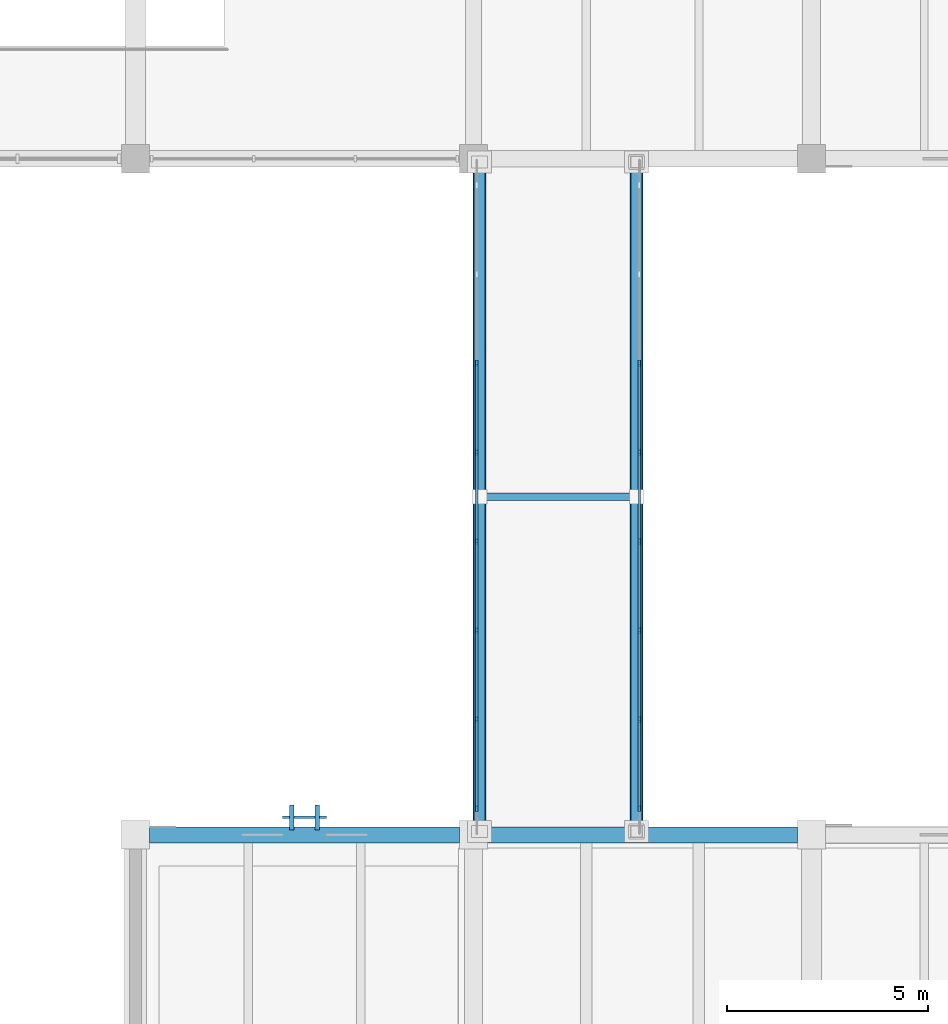
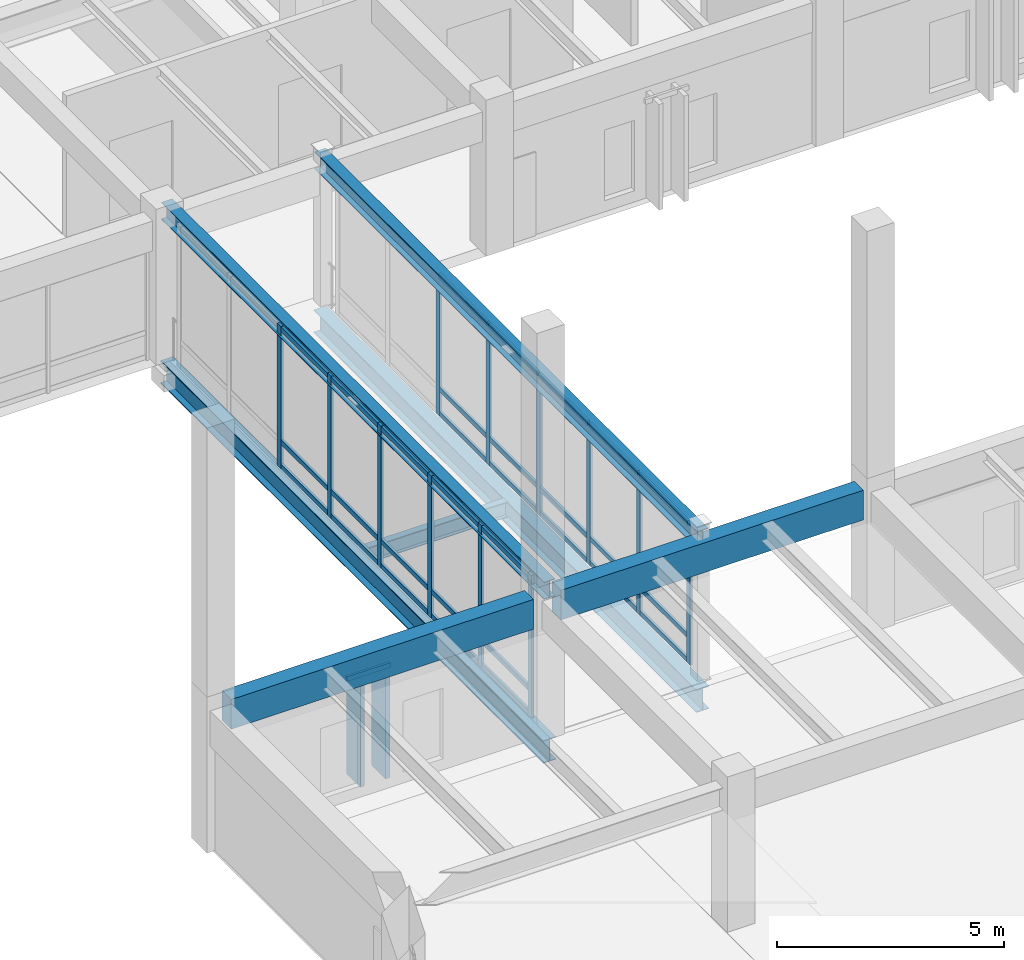
# One storey, part 57 of 132: 45 members, 7 beams, 3 elements without a shape of their own.
"""IFC4 building model written with IfcOpenShell, lengths in metres."""

from ifc_helpers import new_model, si_unit, direction, frame, origin, origin_2d, place, context, subcontext, project, spatial, rectangle, i_section, extrude, material, material_profile, profile_set, type_object, element, aggregate, save


model = new_model("IFC4")

# Units and contexts
model_context = context("Model", 3, precision=1e-05, world=origin(), true_north=direction((0.0, 1.0)))
body_context = subcontext(model_context, "Body", "Model", "MODEL_VIEW")
ifc_project = project(units=[si_unit("LENGTHUNIT", "METRE"), si_unit("AREAUNIT", "SQUARE_METRE"), si_unit("VOLUMEUNIT", "CUBIC_METRE"), si_unit("PLANEANGLEUNIT", "RADIAN"), si_unit("MASSUNIT", "GRAM", prefix="KILO")], contexts=[model_context])

# Site, building, storey
site_placement = place(None, origin())
site = spatial("IfcSite", under=ifc_project, at=site_placement, CompositionType="ELEMENT")
building_placement = place(site_placement, origin())
building = spatial("IfcBuilding", under=site, at=building_placement, Name="Cumbredor Promenade Congress Hotel", CompositionType="ELEMENT")
storey_placement = place(building_placement, frame((0.0, 0.0, 7.56005859375)))
storey = spatial("IfcBuildingStorey", under=building, at=storey_placement, Name="L02", CompositionType="ELEMENT", Elevation=7.56005859375)

# Beams
ifc_material_1 = material(Name="Steel ASTM A992 Grade 50", Category="steel")
ifc_material_profile_1 = material_profile(ifc_material_1, i_section(OverallWidth=0.323974609375, OverallDepth=0.611083984375, WebThickness=0.0126953125, FlangeThickness=0.01904296875, at=origin_2d()), Name="W24X104")
ifc_profile_set_1 = profile_set([ifc_material_profile_1], Name="Steel ASTM A992 Grade 50")
beam_type_1 = type_object("IfcBeamType", Name="BM-W24X104", PredefinedType="BEAM", material=ifc_profile_set_1)
for number, where, z_axis, x_axis, name in (
    (1, (151.35009765625, 67.159912109375, -0.525634765625), (0.0, 1.0, 0.0), (-1.0, 0.0, 0.0), "L02 East Ballroom-to-Forum Glazed Bridge Edge Girder 1"),
    (2, (155.25, 67.159912109375, -0.525634765625), (0.0, 1.0, 0.0), (-1.0, 0.0, 0.0), "L02 East Ballroom-to-Forum Glazed Bridge Edge Girder 2"),
):
    element("IfcBeam", number, at=place(storey_placement, frame(where, z_axis=z_axis, x_axis=x_axis)), inside=storey, type_object=beam_type_1, Name=name, PredefinedType="BEAM", context=body_context, shape_type="SweptSolid", body=[
        extrude(i_section(OverallWidth=0.323974609375, OverallDepth=0.611083984375, WebThickness=0.0126953125, FlangeThickness=0.01904296875, at=origin_2d()), origin(), (0.0, 0.0, 1.0), 16.880126953125),
    ])

# Curtain wall, members
ifc_material_2 = material(Name="Thermally broken anodized aluminium and low-E glass", Category="aluminium")
curtain_wall_type_1 = type_object("IfcCurtainWallType", Name="Unitised Bridge Glazing Screen CW-05", PredefinedType="NOTDEFINED", material=ifc_material_2)
curtain_wall_1_placement = place(storey_placement, origin())
curtain_wall_1 = element("IfcCurtainWall", 3, at=curtain_wall_1_placement, inside=storey, type_object=curtain_wall_type_1, Name="L02 East Ballroom-to-Forum Glazed Bridge West Glazing Screen", PredefinedType="NOTDEFINED")
ifc_material_3 = material(Name="Thermally broken anodized aluminium", Category="aluminium")
ifc_material_profile_2 = material_profile(ifc_material_3, rectangle(XDim=0.06494140625, YDim=0.159912109375, at=origin_2d()), Name="ALU MULLION 65x160")
ifc_profile_set_2 = profile_set([ifc_material_profile_2], Name="Thermally broken anodized aluminium")
member_type_1 = type_object("IfcMemberType", Name="Curtain Wall Mullion ML-01", PredefinedType="MULLION", material=ifc_profile_set_2)
member_1_placement = place(storey_placement, frame((151.280029296875, 67.860107421875, -0.008056640625), z_axis=(0.0, 0.0, 1.0), x_axis=(1.0, 0.0, 0.0)))
member_1 = element("IfcMember", 4, at=member_1_placement, type_object=member_type_1, Name="L02 East Ballroom-to-Forum Glazed Bridge West Glazing Screen Mullion 1", PredefinedType="MULLION", context=body_context, shape_type="SweptSolid", body=[
    extrude(rectangle(XDim=0.06494140625, YDim=0.159912109375, at=origin_2d()), origin(), (0.0, 0.0, 1.0), 3.8359375),
])
member_2_placement = place(storey_placement, frame((151.280029296875, 70.0712890625, -0.008056640625), z_axis=(0.0, 0.0, 1.0), x_axis=(1.0, 0.0, 0.0)))
member_2 = element("IfcMember", 5, at=member_2_placement, type_object=member_type_1, Name="L02 East Ballroom-to-Forum Glazed Bridge West Glazing Screen Mullion 2", PredefinedType="MULLION", context=body_context, shape_type="SweptSolid", body=[
    extrude(rectangle(XDim=0.06494140625, YDim=0.159912109375, at=origin_2d()), origin(), (0.0, 0.0, 1.0), 3.8359375),
])
member_3_placement = place(storey_placement, frame((151.280029296875, 72.282958984375, -0.008056640625), z_axis=(0.0, 0.0, 1.0), x_axis=(1.0, 0.0, 0.0)))
member_3 = element("IfcMember", 6, at=member_3_placement, type_object=member_type_1, Name="L02 East Ballroom-to-Forum Glazed Bridge West Glazing Screen Mullion 3", PredefinedType="MULLION", context=body_context, shape_type="SweptSolid", body=[
    extrude(rectangle(XDim=0.06494140625, YDim=0.159912109375, at=origin_2d()), origin(), (0.0, 0.0, 1.0), 3.8359375),
])
member_4_placement = place(storey_placement, frame((151.280029296875, 74.494384765625, -0.008056640625), z_axis=(0.0, 0.0, 1.0), x_axis=(1.0, 0.0, 0.0)))
member_4 = element("IfcMember", 7, at=member_4_placement, type_object=member_type_1, Name="L02 East Ballroom-to-Forum Glazed Bridge West Glazing Screen Mullion 4", PredefinedType="MULLION", context=body_context, shape_type="SweptSolid", body=[
    extrude(rectangle(XDim=0.06494140625, YDim=0.159912109375, at=origin_2d()), origin(), (0.0, 0.0, 1.0), 3.8359375),
])
member_5_placement = place(storey_placement, frame((151.280029296875, 76.705810546875, -0.008056640625), z_axis=(0.0, 0.0, 1.0), x_axis=(1.0, 0.0, 0.0)))
member_5 = element("IfcMember", 8, at=member_5_placement, type_object=member_type_1, Name="L02 East Ballroom-to-Forum Glazed Bridge West Glazing Screen Mullion 5", PredefinedType="MULLION", context=body_context, shape_type="SweptSolid", body=[
    extrude(rectangle(XDim=0.06494140625, YDim=0.159912109375, at=origin_2d()), origin(), (0.0, 0.0, 1.0), 3.8359375),
])
member_6_placement = place(storey_placement, frame((151.280029296875, 78.9169921875, -0.008056640625), z_axis=(0.0, 0.0, 1.0), x_axis=(1.0, 0.0, 0.0)))
member_6 = element("IfcMember", 9, at=member_6_placement, type_object=member_type_1, Name="L02 East Ballroom-to-Forum Glazed Bridge West Glazing Screen Mullion 6", PredefinedType="MULLION", context=body_context, shape_type="SweptSolid", body=[
    extrude(rectangle(XDim=0.06494140625, YDim=0.159912109375, at=origin_2d()), origin(), (0.0, 0.0, 1.0), 3.8359375),
])

curtain_wall_2_placement = place(storey_placement, origin())
curtain_wall_2 = element("IfcCurtainWall", 10, at=curtain_wall_2_placement, inside=storey, type_object=curtain_wall_type_1, Name="L02 East Ballroom-to-Forum Glazed Bridge East Glazing Screen", PredefinedType="NOTDEFINED")
member_7_placement = place(storey_placement, frame((155.320068359375, 67.860107421875, -0.008056640625), z_axis=(0.0, 0.0, 1.0), x_axis=(1.0, 0.0, 0.0)))
member_7 = element("IfcMember", 11, at=member_7_placement, type_object=member_type_1, Name="L02 East Ballroom-to-Forum Glazed Bridge East Glazing Screen Mullion 1", PredefinedType="MULLION", context=body_context, shape_type="SweptSolid", body=[
    extrude(rectangle(XDim=0.06494140625, YDim=0.159912109375, at=origin_2d()), origin(), (0.0, 0.0, 1.0), 3.8359375),
])
member_8_placement = place(storey_placement, frame((155.320068359375, 70.0712890625, -0.008056640625), z_axis=(0.0, 0.0, 1.0), x_axis=(1.0, 0.0, 0.0)))
member_8 = element("IfcMember", 12, at=member_8_placement, type_object=member_type_1, Name="L02 East Ballroom-to-Forum Glazed Bridge East Glazing Screen Mullion 2", PredefinedType="MULLION", context=body_context, shape_type="SweptSolid", body=[
    extrude(rectangle(XDim=0.06494140625, YDim=0.159912109375, at=origin_2d()), origin(), (0.0, 0.0, 1.0), 3.8359375),
])
member_9_placement = place(storey_placement, frame((155.320068359375, 72.282958984375, -0.008056640625), z_axis=(0.0, 0.0, 1.0), x_axis=(1.0, 0.0, 0.0)))
member_9 = element("IfcMember", 13, at=member_9_placement, type_object=member_type_1, Name="L02 East Ballroom-to-Forum Glazed Bridge East Glazing Screen Mullion 3", PredefinedType="MULLION", context=body_context, shape_type="SweptSolid", body=[
    extrude(rectangle(XDim=0.06494140625, YDim=0.159912109375, at=origin_2d()), origin(), (0.0, 0.0, 1.0), 3.8359375),
])
member_10_placement = place(storey_placement, frame((155.320068359375, 74.494384765625, -0.008056640625), z_axis=(0.0, 0.0, 1.0), x_axis=(1.0, 0.0, 0.0)))
member_10 = element("IfcMember", 14, at=member_10_placement, type_object=member_type_1, Name="L02 East Ballroom-to-Forum Glazed Bridge East Glazing Screen Mullion 4", PredefinedType="MULLION", context=body_context, shape_type="SweptSolid", body=[
    extrude(rectangle(XDim=0.06494140625, YDim=0.159912109375, at=origin_2d()), origin(), (0.0, 0.0, 1.0), 3.8359375),
])
member_11_placement = place(storey_placement, frame((155.320068359375, 76.705810546875, -0.008056640625), z_axis=(0.0, 0.0, 1.0), x_axis=(1.0, 0.0, 0.0)))
member_11 = element("IfcMember", 15, at=member_11_placement, type_object=member_type_1, Name="L02 East Ballroom-to-Forum Glazed Bridge East Glazing Screen Mullion 5", PredefinedType="MULLION", context=body_context, shape_type="SweptSolid", body=[
    extrude(rectangle(XDim=0.06494140625, YDim=0.159912109375, at=origin_2d()), origin(), (0.0, 0.0, 1.0), 3.8359375),
])
member_12_placement = place(storey_placement, frame((155.320068359375, 78.9169921875, -0.008056640625), z_axis=(0.0, 0.0, 1.0), x_axis=(1.0, 0.0, 0.0)))
member_12 = element("IfcMember", 16, at=member_12_placement, type_object=member_type_1, Name="L02 East Ballroom-to-Forum Glazed Bridge East Glazing Screen Mullion 6", PredefinedType="MULLION", context=body_context, shape_type="SweptSolid", body=[
    extrude(rectangle(XDim=0.06494140625, YDim=0.159912109375, at=origin_2d()), origin(), (0.0, 0.0, 1.0), 3.8359375),
])

# Curtain wall, member
curtain_wall_type_2 = type_object("IfcCurtainWallType", Name="Solar Brise-Soleil Screen Assembly CW-07", PredefinedType="NOTDEFINED", material=ifc_material_2)
curtain_wall_3_placement = place(storey_placement, origin())
curtain_wall_3 = element("IfcCurtainWall", 17, at=curtain_wall_3_placement, inside=storey, type_object=curtain_wall_type_2, Name="L02 Pier Brise-Soleil Screen 0376", PredefinedType="NOTDEFINED")
ifc_material_profile_3 = material_profile(ifc_material_3, rectangle(XDim=0.06494140625, YDim=0.1298828125, at=origin_2d()), Name="ALU TRANSOM 65x130")
ifc_profile_set_3 = profile_set([ifc_material_profile_3], Name="Thermally broken anodized aluminium")
member_type_2 = type_object("IfcMemberType", Name="Curtain Wall Transom TR-01", PredefinedType="USERDEFINED", material=ifc_profile_set_3)
member_13_placement = place(storey_placement, frame((146.449951171875, 67.635009765625, 2.824951171875), z_axis=(1.0, 0.0, 0.0), x_axis=(0.0, 1.0, 0.0)))
member_13 = element("IfcMember", 18, at=member_13_placement, type_object=member_type_2, Name="L02 Pier Brise-Soleil Header 0378", ObjectType="TRANSOM", PredefinedType="USERDEFINED", context=body_context, shape_type="SweptSolid", body=[
    extrude(rectangle(XDim=0.06494140625, YDim=0.1298828125, at=origin_2d()), origin(), (0.0, 0.0, 1.0), 1.10009765625),
])

# Member
member_14_placement = place(storey_placement, frame((151.280029296875, 67.892578125, 0.06005859375), z_axis=(0.0, 1.0, 0.0), x_axis=(-1.0, 0.0, 0.0)))
member_14 = element("IfcMember", 19, at=member_14_placement, type_object=member_type_2, Name="L02 East Ballroom-to-Forum Glazed Bridge West Glazing Screen Transom 1.1", ObjectType="TRANSOM", PredefinedType="USERDEFINED", context=body_context, shape_type="SweptSolid", body=[
    extrude(rectangle(XDim=0.06494140625, YDim=0.1298828125, at=origin_2d()), origin(), (0.0, 0.0, 1.0), 2.146240234375),
])

member_15_placement = place(storey_placement, frame((151.280029296875, 67.892578125, 0.719970703125), z_axis=(0.0, 1.0, 0.0), x_axis=(-1.0, 0.0, 0.0)))
member_15 = element("IfcMember", 20, at=member_15_placement, type_object=member_type_2, Name="L02 East Ballroom-to-Forum Glazed Bridge West Glazing Screen Transom 1.2", ObjectType="TRANSOM", PredefinedType="USERDEFINED", context=body_context, shape_type="SweptSolid", body=[
    extrude(rectangle(XDim=0.06494140625, YDim=0.1298828125, at=origin_2d()), origin(), (0.0, 0.0, 1.0), 2.146240234375),
])

member_16_placement = place(storey_placement, frame((151.280029296875, 67.892578125, 3.760009765625), z_axis=(0.0, 1.0, 0.0), x_axis=(-1.0, 0.0, 0.0)))
member_16 = element("IfcMember", 21, at=member_16_placement, type_object=member_type_2, Name="L02 East Ballroom-to-Forum Glazed Bridge West Glazing Screen Transom 1.3", ObjectType="TRANSOM", PredefinedType="USERDEFINED", context=body_context, shape_type="SweptSolid", body=[
    extrude(rectangle(XDim=0.06494140625, YDim=0.1298828125, at=origin_2d()), origin(), (0.0, 0.0, 1.0), 2.146240234375),
])

member_17_placement = place(storey_placement, frame((151.280029296875, 70.10400390625, 0.06005859375), z_axis=(0.0, 1.0, 0.0), x_axis=(-1.0, 0.0, 0.0)))
member_17 = element("IfcMember", 22, at=member_17_placement, type_object=member_type_2, Name="L02 East Ballroom-to-Forum Glazed Bridge West Glazing Screen Transom 2.1", ObjectType="TRANSOM", PredefinedType="USERDEFINED", context=body_context, shape_type="SweptSolid", body=[
    extrude(rectangle(XDim=0.06494140625, YDim=0.1298828125, at=origin_2d()), origin(), (0.0, 0.0, 1.0), 2.146484375),
])

member_18_placement = place(storey_placement, frame((151.280029296875, 70.10400390625, 0.719970703125), z_axis=(0.0, 1.0, 0.0), x_axis=(-1.0, 0.0, 0.0)))
member_18 = element("IfcMember", 23, at=member_18_placement, type_object=member_type_2, Name="L02 East Ballroom-to-Forum Glazed Bridge West Glazing Screen Transom 2.2", ObjectType="TRANSOM", PredefinedType="USERDEFINED", context=body_context, shape_type="SweptSolid", body=[
    extrude(rectangle(XDim=0.06494140625, YDim=0.1298828125, at=origin_2d()), origin(), (0.0, 0.0, 1.0), 2.146484375),
])

member_19_placement = place(storey_placement, frame((151.280029296875, 70.10400390625, 3.760009765625), z_axis=(0.0, 1.0, 0.0), x_axis=(-1.0, 0.0, 0.0)))
member_19 = element("IfcMember", 24, at=member_19_placement, type_object=member_type_2, Name="L02 East Ballroom-to-Forum Glazed Bridge West Glazing Screen Transom 2.3", ObjectType="TRANSOM", PredefinedType="USERDEFINED", context=body_context, shape_type="SweptSolid", body=[
    extrude(rectangle(XDim=0.06494140625, YDim=0.1298828125, at=origin_2d()), origin(), (0.0, 0.0, 1.0), 2.146484375),
])

member_20_placement = place(storey_placement, frame((151.280029296875, 72.3154296875, 0.06005859375), z_axis=(0.0, 1.0, 0.0), x_axis=(-1.0, 0.0, 0.0)))
member_20 = element("IfcMember", 25, at=member_20_placement, type_object=member_type_2, Name="L02 East Ballroom-to-Forum Glazed Bridge West Glazing Screen Transom 3.1", ObjectType="TRANSOM", PredefinedType="USERDEFINED", context=body_context, shape_type="SweptSolid", body=[
    extrude(rectangle(XDim=0.06494140625, YDim=0.1298828125, at=origin_2d()), origin(), (0.0, 0.0, 1.0), 2.146484375),
])

member_21_placement = place(storey_placement, frame((151.280029296875, 72.3154296875, 0.719970703125), z_axis=(0.0, 1.0, 0.0), x_axis=(-1.0, 0.0, 0.0)))
member_21 = element("IfcMember", 26, at=member_21_placement, type_object=member_type_2, Name="L02 East Ballroom-to-Forum Glazed Bridge West Glazing Screen Transom 3.2", ObjectType="TRANSOM", PredefinedType="USERDEFINED", context=body_context, shape_type="SweptSolid", body=[
    extrude(rectangle(XDim=0.06494140625, YDim=0.1298828125, at=origin_2d()), origin(), (0.0, 0.0, 1.0), 2.146484375),
])

member_22_placement = place(storey_placement, frame((151.280029296875, 72.3154296875, 3.760009765625), z_axis=(0.0, 1.0, 0.0), x_axis=(-1.0, 0.0, 0.0)))
member_22 = element("IfcMember", 27, at=member_22_placement, type_object=member_type_2, Name="L02 East Ballroom-to-Forum Glazed Bridge West Glazing Screen Transom 3.3", ObjectType="TRANSOM", PredefinedType="USERDEFINED", context=body_context, shape_type="SweptSolid", body=[
    extrude(rectangle(XDim=0.06494140625, YDim=0.1298828125, at=origin_2d()), origin(), (0.0, 0.0, 1.0), 2.146484375),
])

member_23_placement = place(storey_placement, frame((151.280029296875, 74.52685546875, 0.06005859375), z_axis=(0.0, 1.0, 0.0), x_axis=(-1.0, 0.0, 0.0)))
member_23 = element("IfcMember", 28, at=member_23_placement, type_object=member_type_2, Name="L02 East Ballroom-to-Forum Glazed Bridge West Glazing Screen Transom 4.1", ObjectType="TRANSOM", PredefinedType="USERDEFINED", context=body_context, shape_type="SweptSolid", body=[
    extrude(rectangle(XDim=0.06494140625, YDim=0.1298828125, at=origin_2d()), origin(), (0.0, 0.0, 1.0), 2.146240234375),
])

member_24_placement = place(storey_placement, frame((151.280029296875, 74.52685546875, 0.719970703125), z_axis=(0.0, 1.0, 0.0), x_axis=(-1.0, 0.0, 0.0)))
member_24 = element("IfcMember", 29, at=member_24_placement, type_object=member_type_2, Name="L02 East Ballroom-to-Forum Glazed Bridge West Glazing Screen Transom 4.2", ObjectType="TRANSOM", PredefinedType="USERDEFINED", context=body_context, shape_type="SweptSolid", body=[
    extrude(rectangle(XDim=0.06494140625, YDim=0.1298828125, at=origin_2d()), origin(), (0.0, 0.0, 1.0), 2.146240234375),
])

member_25_placement = place(storey_placement, frame((151.280029296875, 74.52685546875, 3.760009765625), z_axis=(0.0, 1.0, 0.0), x_axis=(-1.0, 0.0, 0.0)))
member_25 = element("IfcMember", 30, at=member_25_placement, type_object=member_type_2, Name="L02 East Ballroom-to-Forum Glazed Bridge West Glazing Screen Transom 4.3", ObjectType="TRANSOM", PredefinedType="USERDEFINED", context=body_context, shape_type="SweptSolid", body=[
    extrude(rectangle(XDim=0.06494140625, YDim=0.1298828125, at=origin_2d()), origin(), (0.0, 0.0, 1.0), 2.146240234375),
])

member_26_placement = place(storey_placement, frame((151.280029296875, 76.73828125, 0.06005859375), z_axis=(0.0, 1.0, 0.0), x_axis=(-1.0, 0.0, 0.0)))
member_26 = element("IfcMember", 31, at=member_26_placement, type_object=member_type_2, Name="L02 East Ballroom-to-Forum Glazed Bridge West Glazing Screen Transom 5.1", ObjectType="TRANSOM", PredefinedType="USERDEFINED", context=body_context, shape_type="SweptSolid", body=[
    extrude(rectangle(XDim=0.06494140625, YDim=0.1298828125, at=origin_2d()), origin(), (0.0, 0.0, 1.0), 2.146240234375),
])

member_27_placement = place(storey_placement, frame((151.280029296875, 76.73828125, 0.719970703125), z_axis=(0.0, 1.0, 0.0), x_axis=(-1.0, 0.0, 0.0)))
member_27 = element("IfcMember", 32, at=member_27_placement, type_object=member_type_2, Name="L02 East Ballroom-to-Forum Glazed Bridge West Glazing Screen Transom 5.2", ObjectType="TRANSOM", PredefinedType="USERDEFINED", context=body_context, shape_type="SweptSolid", body=[
    extrude(rectangle(XDim=0.06494140625, YDim=0.1298828125, at=origin_2d()), origin(), (0.0, 0.0, 1.0), 2.146240234375),
])

member_28_placement = place(storey_placement, frame((151.280029296875, 76.73828125, 3.760009765625), z_axis=(0.0, 1.0, 0.0), x_axis=(-1.0, 0.0, 0.0)))
member_28 = element("IfcMember", 33, at=member_28_placement, type_object=member_type_2, Name="L02 East Ballroom-to-Forum Glazed Bridge West Glazing Screen Transom 5.3", ObjectType="TRANSOM", PredefinedType="USERDEFINED", context=body_context, shape_type="SweptSolid", body=[
    extrude(rectangle(XDim=0.06494140625, YDim=0.1298828125, at=origin_2d()), origin(), (0.0, 0.0, 1.0), 2.146240234375),
])

aggregate(curtain_wall_1, [member_1, member_2, member_3, member_4, member_5, member_6, member_14, member_15, member_16, member_17, member_18, member_19, member_20, member_21, member_22, member_23, member_24, member_25, member_26, member_27, member_28])

member_29_placement = place(storey_placement, frame((155.320068359375, 67.892578125, 0.06005859375), z_axis=(0.0, 1.0, 0.0), x_axis=(-1.0, 0.0, 0.0)))
member_29 = element("IfcMember", 34, at=member_29_placement, type_object=member_type_2, Name="L02 East Ballroom-to-Forum Glazed Bridge East Glazing Screen Transom 1.1", ObjectType="TRANSOM", PredefinedType="USERDEFINED", context=body_context, shape_type="SweptSolid", body=[
    extrude(rectangle(XDim=0.06494140625, YDim=0.1298828125, at=origin_2d()), origin(), (0.0, 0.0, 1.0), 2.146240234375),
])

member_30_placement = place(storey_placement, frame((155.320068359375, 67.892578125, 0.719970703125), z_axis=(0.0, 1.0, 0.0), x_axis=(-1.0, 0.0, 0.0)))
member_30 = element("IfcMember", 35, at=member_30_placement, type_object=member_type_2, Name="L02 East Ballroom-to-Forum Glazed Bridge East Glazing Screen Transom 1.2", ObjectType="TRANSOM", PredefinedType="USERDEFINED", context=body_context, shape_type="SweptSolid", body=[
    extrude(rectangle(XDim=0.06494140625, YDim=0.1298828125, at=origin_2d()), origin(), (0.0, 0.0, 1.0), 2.146240234375),
])

member_31_placement = place(storey_placement, frame((155.320068359375, 67.892578125, 3.760009765625), z_axis=(0.0, 1.0, 0.0), x_axis=(-1.0, 0.0, 0.0)))
member_31 = element("IfcMember", 36, at=member_31_placement, type_object=member_type_2, Name="L02 East Ballroom-to-Forum Glazed Bridge East Glazing Screen Transom 1.3", ObjectType="TRANSOM", PredefinedType="USERDEFINED", context=body_context, shape_type="SweptSolid", body=[
    extrude(rectangle(XDim=0.06494140625, YDim=0.1298828125, at=origin_2d()), origin(), (0.0, 0.0, 1.0), 2.146240234375),
])

member_32_placement = place(storey_placement, frame((155.320068359375, 70.10400390625, 0.06005859375), z_axis=(0.0, 1.0, 0.0), x_axis=(-1.0, 0.0, 0.0)))
member_32 = element("IfcMember", 37, at=member_32_placement, type_object=member_type_2, Name="L02 East Ballroom-to-Forum Glazed Bridge East Glazing Screen Transom 2.1", ObjectType="TRANSOM", PredefinedType="USERDEFINED", context=body_context, shape_type="SweptSolid", body=[
    extrude(rectangle(XDim=0.06494140625, YDim=0.1298828125, at=origin_2d()), origin(), (0.0, 0.0, 1.0), 2.146484375),
])

member_33_placement = place(storey_placement, frame((155.320068359375, 70.10400390625, 0.719970703125), z_axis=(0.0, 1.0, 0.0), x_axis=(-1.0, 0.0, 0.0)))
member_33 = element("IfcMember", 38, at=member_33_placement, type_object=member_type_2, Name="L02 East Ballroom-to-Forum Glazed Bridge East Glazing Screen Transom 2.2", ObjectType="TRANSOM", PredefinedType="USERDEFINED", context=body_context, shape_type="SweptSolid", body=[
    extrude(rectangle(XDim=0.06494140625, YDim=0.1298828125, at=origin_2d()), origin(), (0.0, 0.0, 1.0), 2.146484375),
])

member_34_placement = place(storey_placement, frame((155.320068359375, 70.10400390625, 3.760009765625), z_axis=(0.0, 1.0, 0.0), x_axis=(-1.0, 0.0, 0.0)))
member_34 = element("IfcMember", 39, at=member_34_placement, type_object=member_type_2, Name="L02 East Ballroom-to-Forum Glazed Bridge East Glazing Screen Transom 2.3", ObjectType="TRANSOM", PredefinedType="USERDEFINED", context=body_context, shape_type="SweptSolid", body=[
    extrude(rectangle(XDim=0.06494140625, YDim=0.1298828125, at=origin_2d()), origin(), (0.0, 0.0, 1.0), 2.146484375),
])

member_35_placement = place(storey_placement, frame((155.320068359375, 72.3154296875, 0.06005859375), z_axis=(0.0, 1.0, 0.0), x_axis=(-1.0, 0.0, 0.0)))
member_35 = element("IfcMember", 40, at=member_35_placement, type_object=member_type_2, Name="L02 East Ballroom-to-Forum Glazed Bridge East Glazing Screen Transom 3.1", ObjectType="TRANSOM", PredefinedType="USERDEFINED", context=body_context, shape_type="SweptSolid", body=[
    extrude(rectangle(XDim=0.06494140625, YDim=0.1298828125, at=origin_2d()), origin(), (0.0, 0.0, 1.0), 2.146484375),
])

member_36_placement = place(storey_placement, frame((155.320068359375, 72.3154296875, 0.719970703125), z_axis=(0.0, 1.0, 0.0), x_axis=(-1.0, 0.0, 0.0)))
member_36 = element("IfcMember", 41, at=member_36_placement, type_object=member_type_2, Name="L02 East Ballroom-to-Forum Glazed Bridge East Glazing Screen Transom 3.2", ObjectType="TRANSOM", PredefinedType="USERDEFINED", context=body_context, shape_type="SweptSolid", body=[
    extrude(rectangle(XDim=0.06494140625, YDim=0.1298828125, at=origin_2d()), origin(), (0.0, 0.0, 1.0), 2.146484375),
])

member_37_placement = place(storey_placement, frame((155.320068359375, 72.3154296875, 3.760009765625), z_axis=(0.0, 1.0, 0.0), x_axis=(-1.0, 0.0, 0.0)))
member_37 = element("IfcMember", 42, at=member_37_placement, type_object=member_type_2, Name="L02 East Ballroom-to-Forum Glazed Bridge East Glazing Screen Transom 3.3", ObjectType="TRANSOM", PredefinedType="USERDEFINED", context=body_context, shape_type="SweptSolid", body=[
    extrude(rectangle(XDim=0.06494140625, YDim=0.1298828125, at=origin_2d()), origin(), (0.0, 0.0, 1.0), 2.146484375),
])

member_38_placement = place(storey_placement, frame((155.320068359375, 74.52685546875, 0.06005859375), z_axis=(0.0, 1.0, 0.0), x_axis=(-1.0, 0.0, 0.0)))
member_38 = element("IfcMember", 43, at=member_38_placement, type_object=member_type_2, Name="L02 East Ballroom-to-Forum Glazed Bridge East Glazing Screen Transom 4.1", ObjectType="TRANSOM", PredefinedType="USERDEFINED", context=body_context, shape_type="SweptSolid", body=[
    extrude(rectangle(XDim=0.06494140625, YDim=0.1298828125, at=origin_2d()), origin(), (0.0, 0.0, 1.0), 2.146240234375),
])

member_39_placement = place(storey_placement, frame((155.320068359375, 74.52685546875, 0.719970703125), z_axis=(0.0, 1.0, 0.0), x_axis=(-1.0, 0.0, 0.0)))
member_39 = element("IfcMember", 44, at=member_39_placement, type_object=member_type_2, Name="L02 East Ballroom-to-Forum Glazed Bridge East Glazing Screen Transom 4.2", ObjectType="TRANSOM", PredefinedType="USERDEFINED", context=body_context, shape_type="SweptSolid", body=[
    extrude(rectangle(XDim=0.06494140625, YDim=0.1298828125, at=origin_2d()), origin(), (0.0, 0.0, 1.0), 2.146240234375),
])

member_40_placement = place(storey_placement, frame((155.320068359375, 74.52685546875, 3.760009765625), z_axis=(0.0, 1.0, 0.0), x_axis=(-1.0, 0.0, 0.0)))
member_40 = element("IfcMember", 45, at=member_40_placement, type_object=member_type_2, Name="L02 East Ballroom-to-Forum Glazed Bridge East Glazing Screen Transom 4.3", ObjectType="TRANSOM", PredefinedType="USERDEFINED", context=body_context, shape_type="SweptSolid", body=[
    extrude(rectangle(XDim=0.06494140625, YDim=0.1298828125, at=origin_2d()), origin(), (0.0, 0.0, 1.0), 2.146240234375),
])

member_41_placement = place(storey_placement, frame((155.320068359375, 76.73828125, 0.06005859375), z_axis=(0.0, 1.0, 0.0), x_axis=(-1.0, 0.0, 0.0)))
member_41 = element("IfcMember", 46, at=member_41_placement, type_object=member_type_2, Name="L02 East Ballroom-to-Forum Glazed Bridge East Glazing Screen Transom 5.1", ObjectType="TRANSOM", PredefinedType="USERDEFINED", context=body_context, shape_type="SweptSolid", body=[
    extrude(rectangle(XDim=0.06494140625, YDim=0.1298828125, at=origin_2d()), origin(), (0.0, 0.0, 1.0), 2.146240234375),
])

member_42_placement = place(storey_placement, frame((155.320068359375, 76.73828125, 0.719970703125), z_axis=(0.0, 1.0, 0.0), x_axis=(-1.0, 0.0, 0.0)))
member_42 = element("IfcMember", 47, at=member_42_placement, type_object=member_type_2, Name="L02 East Ballroom-to-Forum Glazed Bridge East Glazing Screen Transom 5.2", ObjectType="TRANSOM", PredefinedType="USERDEFINED", context=body_context, shape_type="SweptSolid", body=[
    extrude(rectangle(XDim=0.06494140625, YDim=0.1298828125, at=origin_2d()), origin(), (0.0, 0.0, 1.0), 2.146240234375),
])

member_43_placement = place(storey_placement, frame((155.320068359375, 76.73828125, 3.760009765625), z_axis=(0.0, 1.0, 0.0), x_axis=(-1.0, 0.0, 0.0)))
member_43 = element("IfcMember", 48, at=member_43_placement, type_object=member_type_2, Name="L02 East Ballroom-to-Forum Glazed Bridge East Glazing Screen Transom 5.3", ObjectType="TRANSOM", PredefinedType="USERDEFINED", context=body_context, shape_type="SweptSolid", body=[
    extrude(rectangle(XDim=0.06494140625, YDim=0.1298828125, at=origin_2d()), origin(), (0.0, 0.0, 1.0), 2.146240234375),
])

aggregate(curtain_wall_2, [member_7, member_8, member_9, member_10, member_11, member_12, member_29, member_30, member_31, member_32, member_33, member_34, member_35, member_36, member_37, member_38, member_39, member_40, member_41, member_42, member_43])

# Beams
ifc_material_profile_4 = material_profile(ifc_material_1, i_section(OverallWidth=0.180908203125, OverallDepth=0.4169921875, WebThickness=0.010986328125, FlangeThickness=0.018310546875, at=origin_2d()), Name="W16X57")
ifc_profile_set_4 = profile_set([ifc_material_profile_4], Name="Steel ASTM A992 Grade 50")
beam_type_2 = type_object("IfcBeamType", Name="JST-W16X57", PredefinedType="JOIST", material=ifc_profile_set_4)
beam_1_placement = place(storey_placement, frame((151.5, 75.60009765625, -0.428466796875), z_axis=(1.0, 0.0, 0.0), x_axis=(0.0, 1.0, 0.0)))
element("IfcBeam", 49, at=beam_1_placement, inside=storey, type_object=beam_type_2, Name="L02 East Ballroom-to-Forum Glazed Bridge Cross Beam", PredefinedType="JOIST", context=body_context, shape_type="SweptSolid", body=[
    extrude(i_section(OverallWidth=0.180908203125, OverallDepth=0.4169921875, WebThickness=0.010986328125, FlangeThickness=0.018310546875, at=origin_2d()), origin(), (0.0, 0.0, 1.0), 3.60009765625),
])
ifc_material_profile_5 = material_profile(ifc_material_1, i_section(OverallWidth=0.280029296875, OverallDepth=0.462890625, WebThickness=0.0107421875, FlangeThickness=0.017333984375, at=origin_2d()), Name="W18X76")
ifc_profile_set_5 = profile_set([ifc_material_profile_5], Name="Steel ASTM A992 Grade 50")
beam_type_3 = type_object("IfcBeamType", Name="JST-W18X76", PredefinedType="JOIST", material=ifc_profile_set_5)
for number, where, z_axis, x_axis, name in (
    (50, (151.35009765625, 67.159912109375, 3.803466796875), (0.0, 1.0, 0.0), (-1.0, 0.0, 0.0), "East Ballroom-to-Forum Glazed Bridge Roof Edge Beam 1"),
    (51, (155.25, 67.159912109375, 3.803466796875), (0.0, 1.0, 0.0), (-1.0, 0.0, 0.0), "East Ballroom-to-Forum Glazed Bridge Roof Edge Beam 2"),
):
    element("IfcBeam", number, at=place(storey_placement, frame(where, z_axis=z_axis, x_axis=x_axis)), inside=storey, type_object=beam_type_3, Name=name, PredefinedType="JOIST", context=body_context, shape_type="SweptSolid", body=[
        extrude(i_section(OverallWidth=0.280029296875, OverallDepth=0.462890625, WebThickness=0.0107421875, FlangeThickness=0.017333984375, at=origin_2d()), origin(), (0.0, 0.0, 1.0), 16.880126953125),
    ])
ifc_material_4 = material(Name="Concrete C40/50", Category="concrete")
ifc_material_profile_6 = material_profile(ifc_material_4, rectangle(XDim=0.39990234375, YDim=0.800048828125, at=origin_2d()), Name="RC SPANDREL 400x800")
ifc_profile_set_6 = profile_set([ifc_material_profile_6], Name="Concrete C40/50")
beam_type_4 = type_object("IfcBeamType", Name="SP-RC-400x800", PredefinedType="SPANDREL", material=ifc_profile_set_6)
beam_2_placement = place(storey_placement, frame((143.14990234375, 67.199951171875, 3.39990234375), z_axis=(1.0, 0.0, 0.0), x_axis=(0.0, 1.0, 0.0)))
element("IfcBeam", 52, at=beam_2_placement, inside=storey, type_object=beam_type_4, Name="L03 X-Grid Beam 196", PredefinedType="SPANDREL", context=body_context, shape_type="SweptSolid", body=[
    extrude(rectangle(XDim=0.39990234375, YDim=0.800048828125, at=origin_2d()), origin(), (0.0, 0.0, 1.0), 7.7001953125),
])
beam_3_placement = place(storey_placement, frame((151.550048828125, 67.199951171875, 3.39990234375), z_axis=(1.0, 0.0, 0.0), x_axis=(0.0, 1.0, 0.0)))
element("IfcBeam", 53, at=beam_3_placement, inside=storey, type_object=beam_type_4, Name="L03 X-Grid Beam 206", PredefinedType="SPANDREL", context=body_context, shape_type="SweptSolid", body=[
    extrude(rectangle(XDim=0.39990234375, YDim=0.800048828125, at=origin_2d()), origin(), (0.0, 0.0, 1.0), 7.699951171875),
])

# Member
ifc_material_profile_7 = material_profile(ifc_material_3, rectangle(XDim=0.110107421875, YDim=0.6201171875, at=origin_2d()), Name="ARCH FIN 110x620")
ifc_profile_set_7 = profile_set([ifc_material_profile_7], Name="Thermally broken anodized aluminium")
member_type_3 = type_object("IfcMemberType", Name="Vertical Bronze Brise-Soleil Fin BSF-02 110x620", PredefinedType="USERDEFINED", material=ifc_profile_set_7)
member_44_placement = place(storey_placement, frame((146.679931640625, 67.635009765625, 0.02001953125), z_axis=(0.0, 0.0, 1.0), x_axis=(1.0, 0.0, 0.0)))
member_44 = element("IfcMember", 54, at=member_44_placement, type_object=member_type_3, Name="L02 Pier Brise-Soleil Fin 0377", ObjectType="SOLAR FIN", PredefinedType="USERDEFINED", context=body_context, shape_type="SweptSolid", body=[
    extrude(rectangle(XDim=0.110107421875, YDim=0.6201171875, at=origin_2d()), origin(), (0.0, 0.0, 1.0), 2.844970703125),
])

member_45_placement = place(storey_placement, frame((147.320068359375, 67.635009765625, 0.02001953125), z_axis=(0.0, 0.0, 1.0), x_axis=(1.0, 0.0, 0.0)))
member_45 = element("IfcMember", 55, at=member_45_placement, type_object=member_type_3, Name="L02 Pier Brise-Soleil Fin 0378", ObjectType="SOLAR FIN", PredefinedType="USERDEFINED", context=body_context, shape_type="SweptSolid", body=[
    extrude(rectangle(XDim=0.110107421875, YDim=0.6201171875, at=origin_2d()), origin(), (0.0, 0.0, 1.0), 2.844970703125),
])

aggregate(curtain_wall_3, [member_44, member_45, member_13])

save(model, "model.ifc")
